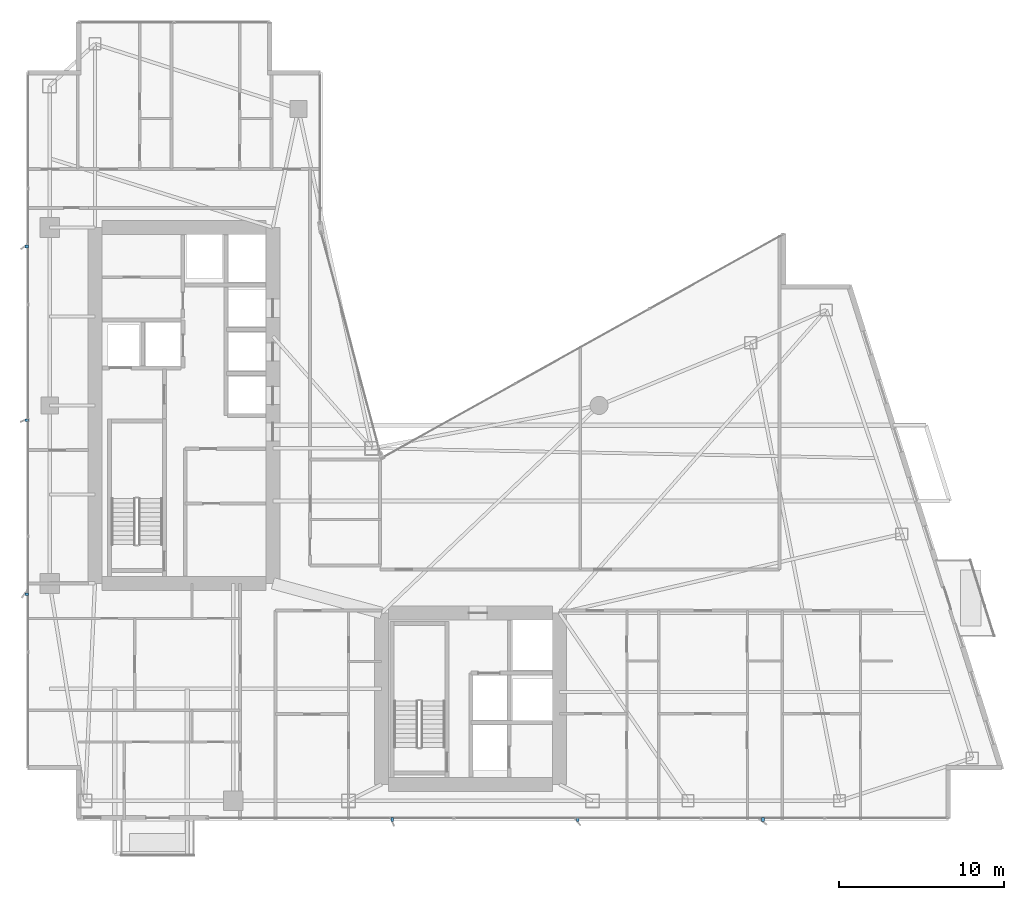
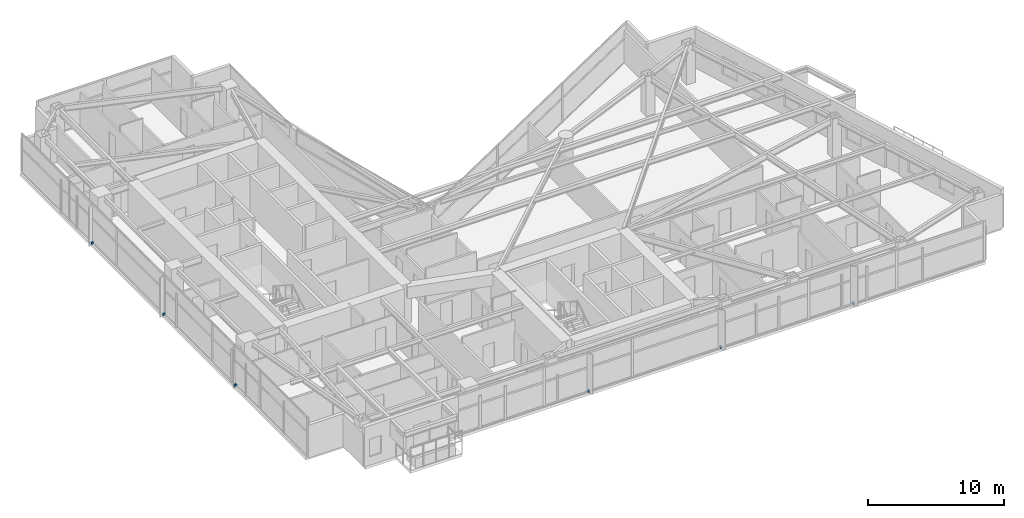
# One storey, part 26 of 28: 6 discrete accessories.
"""IFC4 building model written with IfcOpenShell, lengths in metres."""

from ifc_helpers import new_model, si_unit, direction, frame, origin, origin_2d, place, context, subcontext, project, spatial, rectangle, extrude, material, type_object, element, save


model = new_model("IFC4")

# Units and contexts
model_context = context("Model", 3, precision=1e-05, world=origin(), true_north=direction((0.0, 1.0)))
body_context = subcontext(model_context, "Body", "Model", "MODEL_VIEW")
ifc_project = project(units=[si_unit("LENGTHUNIT", "METRE"), si_unit("AREAUNIT", "SQUARE_METRE"), si_unit("VOLUMEUNIT", "CUBIC_METRE"), si_unit("PLANEANGLEUNIT", "RADIAN"), si_unit("MASSUNIT", "GRAM", prefix="KILO")], contexts=[model_context])

# Site, building, storey
site_placement = place(None, origin())
site = spatial("IfcSite", under=ifc_project, at=site_placement, CompositionType="ELEMENT")
building_placement = place(site_placement, origin())
building = spatial("IfcBuilding", under=site, at=building_placement, Name="Calvorn Quay Hotel", CompositionType="ELEMENT")
storey_placement = place(building_placement, frame((0.0, 0.0, 156.10009765625)))
storey = spatial("IfcBuildingStorey", under=building, at=storey_placement, Name="L38", CompositionType="ELEMENT", Elevation=156.10009765625)

# Discrete accessories
ifc_material = material(Name="Steel Q355B", Category="steel")
discrete_accessory_type = type_object("IfcDiscreteAccessoryType", Name="ACC-FIN-BRACKET", PredefinedType="BRACKET", material=ifc_material)
for number, where, z_axis, x_axis, name in (
    (1, (0.06005859375, 16.14990234375, 0.02978515625), (0.0, 0.0, 1.0), (1.0, 0.0, 0.0), "Fin Anchor Bracket L38-W01"),
    (2, (0.06005859375, 26.699951171875, 0.02978515625), (0.0, 0.0, 1.0), (1.0, 0.0, 0.0), "Fin Anchor Bracket L38-W02"),
    (3, (0.06005859375, 37.25, 0.02978515625), (0.0, 0.0, 1.0), (1.0, 0.0, 0.0), "Fin Anchor Bracket L38-W03"),
    (4, (22.25, 2.4599609375, 0.02978515625), (0.0, 0.0, 1.0), (0.0, 1.0, 0.0), "Fin Anchor Bracket L38-S01"),
    (5, (33.5, 2.4599609375, 0.02978515625), (0.0, 0.0, 1.0), (0.0, 1.0, 0.0), "Fin Anchor Bracket L38-S02"),
    (6, (44.75, 2.4599609375, 0.02978515625), (0.0, 0.0, 1.0), (0.0, 1.0, 0.0), "Fin Anchor Bracket L38-S03"),
):
    element("IfcDiscreteAccessory", number, at=place(storey_placement, frame(where, z_axis=z_axis, x_axis=x_axis)), inside=storey, type_object=discrete_accessory_type, Name=name, PredefinedType="BRACKET", context=body_context, shape_type="SweptSolid", body=[
        extrude(rectangle(XDim=0.239990234375, YDim=0.159912109375, at=origin_2d()), origin(), (0.0, 0.0, 1.0), 0.179931640625),
    ])

save(model, "model.ifc")
